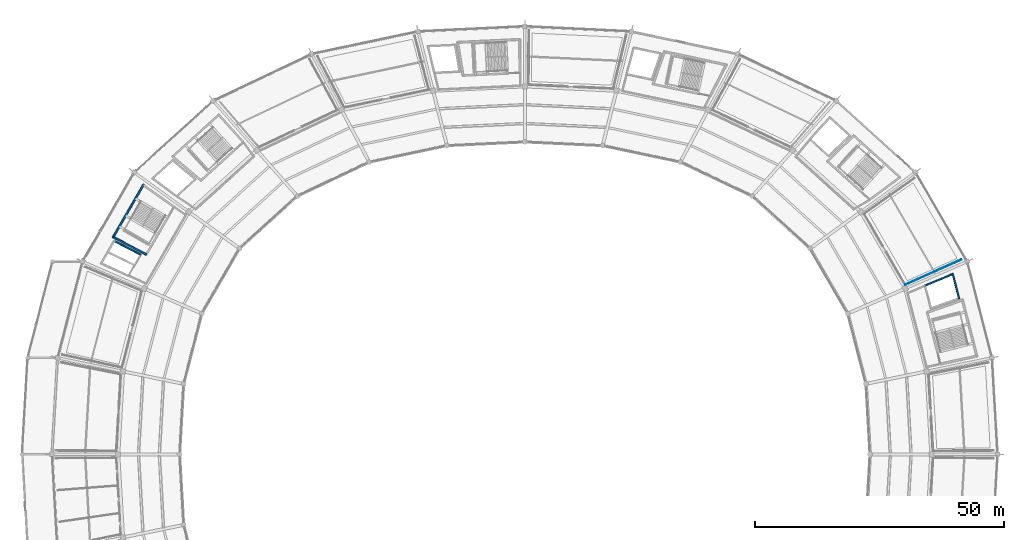
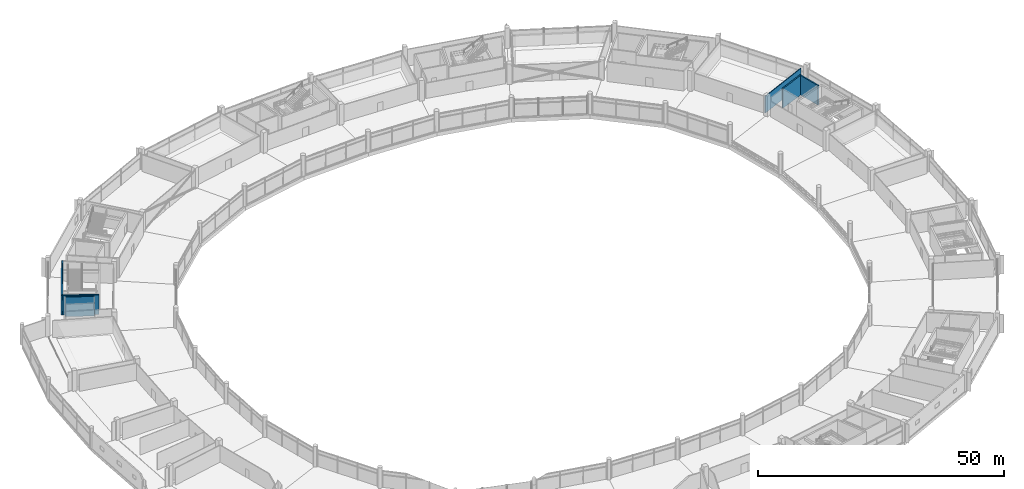
# One storey, part 149 of 184: 6 walls.
"""IFC4 building model written with IfcOpenShell, lengths in metres."""

from ifc_helpers import new_model, si_unit, direction, frame, frame_2d, origin, place, context, subcontext, project, spatial, rectangle, extrude, material, layer, layer_set, type_object, element, save


model = new_model("IFC4")

# Units and contexts
model_context = context("Model", 3, precision=1e-05, world=origin(), true_north=direction((0.0, 1.0)))
body_context = subcontext(model_context, "Body", "Model", "MODEL_VIEW")
ifc_project = project(units=[si_unit("LENGTHUNIT", "METRE"), si_unit("AREAUNIT", "SQUARE_METRE"), si_unit("VOLUMEUNIT", "CUBIC_METRE"), si_unit("PLANEANGLEUNIT", "RADIAN"), si_unit("MASSUNIT", "GRAM", prefix="KILO")], contexts=[model_context])

# Site, building, storey
site_placement = place(None, origin())
site = spatial("IfcSite", under=ifc_project, at=site_placement, CompositionType="ELEMENT")
building_placement = place(site_placement, origin())
building = spatial("IfcBuilding", under=site, at=building_placement, Name="Kazemori Nagisa Stadium", CompositionType="ELEMENT")
storey_placement = place(building_placement, frame((0.0, 0.0, 10.5400390625)))
storey = spatial("IfcBuildingStorey", under=building, at=storey_placement, Name="L02", CompositionType="ELEMENT", Elevation=10.5400390625)

# Walls
ifc_material_1 = material(Name="Concrete C40/50 (Fc42)", Category="concrete")
ifc_layer_1 = layer(ifc_material_1, 0.35009765625, Name="Concrete C40/50 (Fc42)", Category="concrete")
ifc_layer_set_1 = layer_set([ifc_layer_1], Name="Concrete C40/50 (Fc42)")
wall_type_1 = type_object("IfcWallType", Name="Wall_W-CORE-350", PredefinedType="SHEAR", material=ifc_layer_set_1)
wall_1_placement = place(storey_placement, frame((46.443359375, 156.25, 0.0), z_axis=(0.0, 0.0, 1.0), x_axis=(-0.501601740165, -0.865098661577, 0.0)))
element("IfcWall", 1, at=wall_1_placement, inside=storey, type_object=wall_type_1, Name="Core stair rear shear wall ST08 L02", PredefinedType="SHEAR", context=body_context, shape_type="SweptSolid", body=[
    extrude(rectangle(XDim=12.404541015625, YDim=0.35009765625, at=frame_2d((6.2021484375, 0.0))), origin(), (0.0, 0.0, 1.0), 4.83984375),
])
wall_2_placement = place(storey_placement, frame((46.958251953125, 142.15869140625, 0.0), z_axis=(0.0, 0.0, 1.0), x_axis=(-0.884271552762, 0.466973040952, 0.0)))
element("IfcWall", 2, at=wall_2_placement, inside=storey, type_object=wall_type_1, Name="Core stair right shear wall ST08 L02", PredefinedType="SHEAR", context=body_context, shape_type="SweptSolid", body=[
    extrude(rectangle(XDim=7.51953125, YDim=0.35009765625, at=frame_2d((3.759765625, 0.0))), origin(), (0.0, 0.0, 1.0), 4.83984375),
])
ifc_material_2 = material(Name="Gypsum plasterboard", Category="gypsum")
ifc_layer_2 = layer(ifc_material_2, 0.1650390625, Name="Gypsum plasterboard", Category="gypsum")
ifc_layer_set_2 = layer_set([ifc_layer_2], Name="Gypsum plasterboard")
wall_type_2 = type_object("IfcWallType", Name="Wall_W-PART-165", PredefinedType="PARTITIONING", material=ifc_layer_set_2)
wall_3_placement = place(storey_placement, frame((199.4375, 136.098876953125, 0.0), z_axis=(0.0, 0.0, 1.0), x_axis=(0.913245562849, 0.407409550621, 0.0)))
element("IfcWall", 3, at=wall_3_placement, inside=storey, type_object=wall_type_2, Name="Room radial partition L02-B03-L", PredefinedType="PARTITIONING", context=body_context, shape_type="SweptSolid", body=[
    extrude(rectangle(XDim=12.399658203125, YDim=0.1650390625, at=frame_2d((6.19970703125, 0.0))), origin(), (0.0, 0.0, 1.0), 4.159912109375),
])
ifc_layer_3 = layer(ifc_material_1, 0.300048828125, Name="Concrete C40/50 (Fc42)", Category="concrete")
ifc_layer_set_3 = layer_set([ifc_layer_3], Name="Concrete C40/50 (Fc42)")
wall_type_3 = type_object("IfcWallType", Name="Wall_W-SHAFT-300", PredefinedType="SHEAR", material=ifc_layer_set_3)
wall_4_placement = place(storey_placement, frame((210.263671875, 133.23974609375, 0.0), z_axis=(0.0, 0.0, 1.0), x_axis=(-0.249961459705, 0.968255786795, 0.0)))
element("IfcWall", 4, at=wall_4_placement, inside=storey, type_object=wall_type_3, Name="Lift shaft B wall LP5 L02", PredefinedType="SHEAR", context=body_context, shape_type="SweptSolid", body=[
    extrude(rectangle(XDim=5.309326171875, YDim=0.300048828125, at=frame_2d((2.65478515625, 0.0))), origin(), (0.0, 0.0, 1.0), 4.83984375),
])
wall_5_placement = place(storey_placement, frame((203.444580078125, 135.90478515625, 0.0), z_axis=(0.0, 0.0, 1.0), x_axis=(0.92149593043, 0.388388015007, 0.0)))
element("IfcWall", 5, at=wall_5_placement, inside=storey, type_object=wall_type_3, Name="Lift shaft R wall LP5 L02", PredefinedType="SHEAR", context=body_context, shape_type="SweptSolid", body=[
    extrude(rectangle(XDim=6.000732421875, YDim=0.300048828125, at=frame_2d((3.00048828125, 0.0))), origin(), (0.0, 0.0, 1.0), 4.83984375),
])
wall_6_placement = place(storey_placement, frame((45.82470703125, 142.1240234375, 0.0), z_axis=(0.0, 0.0, 1.0), x_axis=(-0.887268274556, 0.461253735992, 0.0)))
element("IfcWall", 6, at=wall_6_placement, inside=storey, type_object=wall_type_3, Name="Lift shaft L wall LP6 L02", PredefinedType="SHEAR", context=body_context, shape_type="SweptSolid", body=[
    extrude(rectangle(XDim=5.97900390625, YDim=0.300048828125, at=frame_2d((2.989501953125, 0.0))), origin(), (0.0, 0.0, 1.0), 4.83984375),
])

save(model, "model.ifc")
